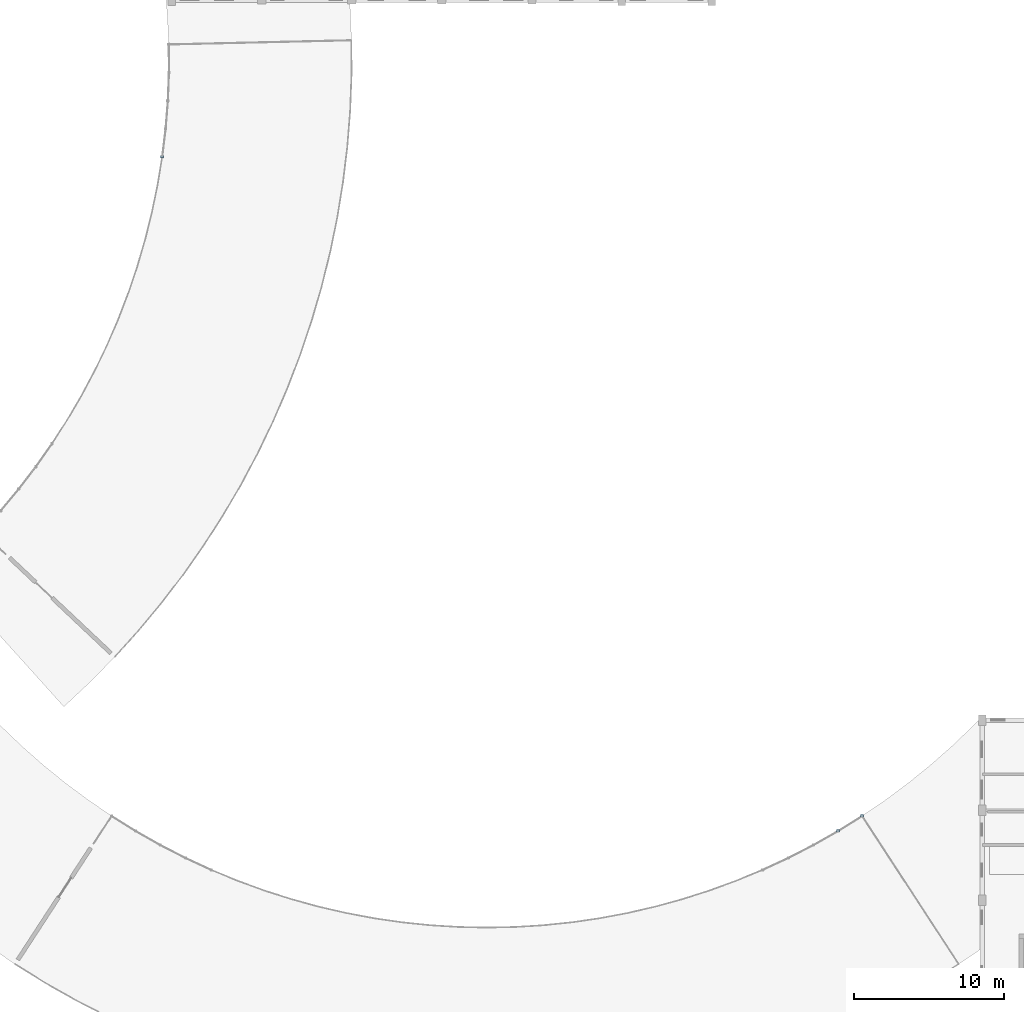
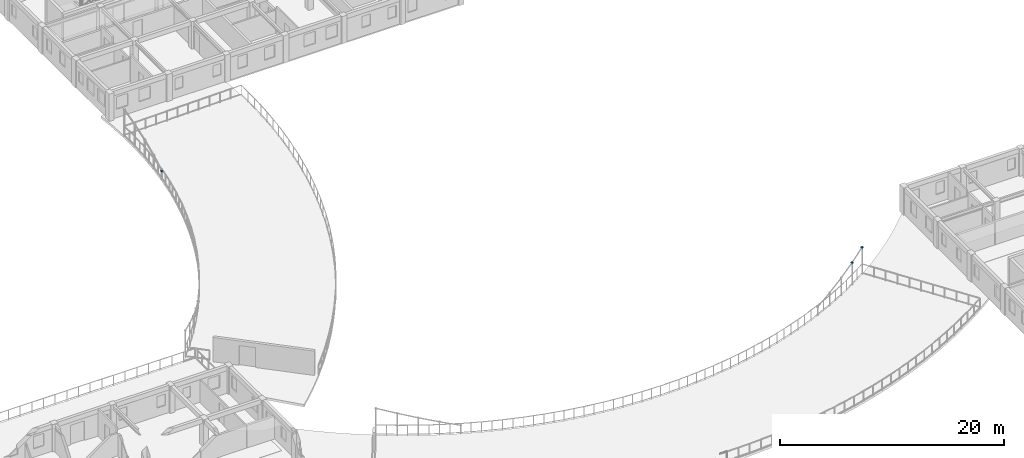
# One storey, part 46 of 58: 3 discrete accessories.
"""IFC4 building model written with IfcOpenShell, lengths in metres."""

from ifc_helpers import new_model, si_unit, direction, frame, origin, origin_2d, place, context, subcontext, project, spatial, rectangle, extrude, material, type_object, element, save


model = new_model("IFC4")

# Units and contexts
model_context = context("Model", 3, precision=1e-05, world=origin(), true_north=direction((0.0, 1.0)))
body_context = subcontext(model_context, "Body", "Model", "MODEL_VIEW")
ifc_project = project(units=[si_unit("LENGTHUNIT", "METRE"), si_unit("AREAUNIT", "SQUARE_METRE"), si_unit("VOLUMEUNIT", "CUBIC_METRE"), si_unit("PLANEANGLEUNIT", "RADIAN"), si_unit("MASSUNIT", "GRAM", prefix="KILO"), si_unit("POWERUNIT", "WATT"), si_unit("THERMODYNAMICTEMPERATUREUNIT", "KELVIN")], contexts=[model_context])

# Site, building, storey
site_placement = place(None, origin())
site = spatial("IfcSite", under=ifc_project, at=site_placement, CompositionType="ELEMENT")
building_placement = place(site_placement, origin())
building = spatial("IfcBuilding", under=site, at=building_placement, Name="Ruvembo Vaulted Housing Court", CompositionType="ELEMENT")
storey_placement = place(building_placement, frame((0.0, 0.0, 20.5)))
storey = spatial("IfcBuildingStorey", under=building, at=storey_placement, Name="L06", CompositionType="ELEMENT", Elevation=20.5)

# Discrete accessories
ifc_material = material(Name="Steel S355J2", Category="steel")
discrete_accessory_type = type_object("IfcDiscreteAccessoryType", Name="ACC-STL-NODE", PredefinedType="BRACKET", material=ifc_material)
for number, where, z_axis, x_axis, name in (
    (1, (47.344482421875, 67.556884765625, 0.830078125), (0.0, 0.0, 1.0), (1.0, 0.0, 0.0), "Scoop SC1 Crest Strut End Connector 15A"),
    (2, (92.401611328125, 22.6298828125, 2.330078125), (0.0, 0.0, 1.0), (1.0, 0.0, 0.0), "Scoop SC2 Crest Strut End Connector 27A"),
    (3, (94.00537109375, 23.62841796875, 2.830078125), (0.0, 0.0, 1.0), (1.0, 0.0, 0.0), "Scoop SC2 Crest Strut End Connector 27B"),
):
    element("IfcDiscreteAccessory", number, at=place(storey_placement, frame(where, z_axis=z_axis, x_axis=x_axis)), inside=storey, type_object=discrete_accessory_type, Name=name, PredefinedType="BRACKET", context=body_context, shape_type="SweptSolid", body=[
        extrude(rectangle(XDim=0.179931640625, YDim=0.179931640625, at=origin_2d()), origin(), (0.0, 0.0, 1.0), 0.139892578125),
    ])

save(model, "model.ifc")
